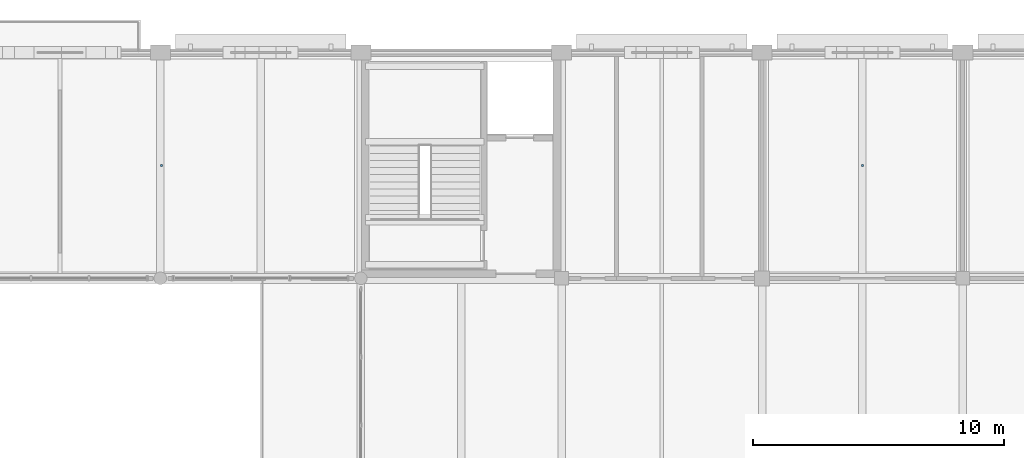
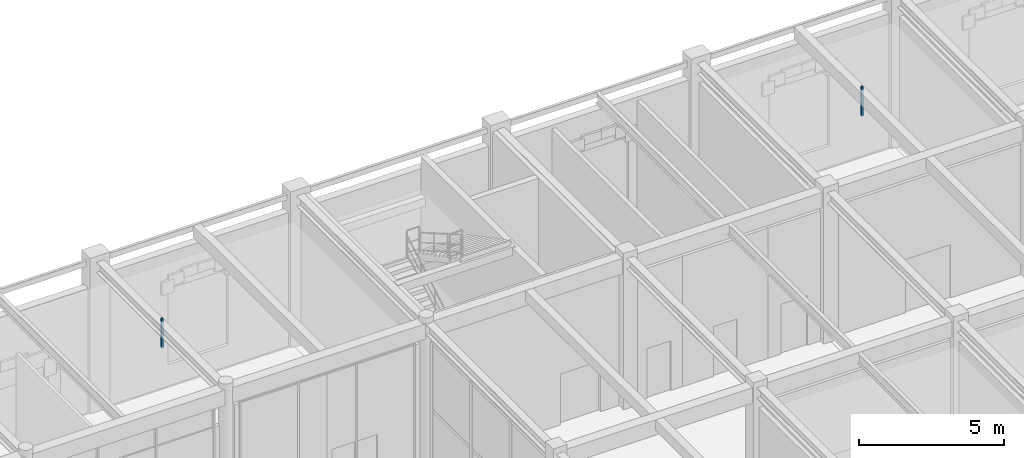
# One storey, part 148 of 163: 2 discrete accessories.
"""IFC4 building model written with IfcOpenShell, lengths in metres."""

from ifc_helpers import new_model, si_unit, direction, frame, origin, origin_2d, place, context, subcontext, project, spatial, rectangle, extrude, material, layer, layer_set, type_object, element, save


model = new_model("IFC4")

# Units and contexts
model_context = context("Model", 3, precision=1e-05, world=origin(), true_north=direction((0.0, 1.0)))
body_context = subcontext(model_context, "Body", "Model", "MODEL_VIEW")
ifc_project = project(units=[si_unit("LENGTHUNIT", "METRE"), si_unit("AREAUNIT", "SQUARE_METRE"), si_unit("VOLUMEUNIT", "CUBIC_METRE"), si_unit("PLANEANGLEUNIT", "RADIAN"), si_unit("MASSUNIT", "GRAM", prefix="KILO")], contexts=[model_context])

# Site, building, storey
site_placement = place(None, origin())
site = spatial("IfcSite", under=ifc_project, at=site_placement, CompositionType="ELEMENT")
building_placement = place(site_placement, origin())
building = spatial("IfcBuilding", under=site, at=building_placement, Name="Varnabhumi Central Station", CompositionType="ELEMENT")
storey_placement = place(building_placement, frame((0.0, 0.0, 9.60009765625)))
storey = spatial("IfcBuildingStorey", under=building, at=storey_placement, Name="L02", CompositionType="ELEMENT", Elevation=9.60009765625)

# Discrete accessories
ifc_material = material(Name="Structural steel E350", Category="steel")
ifc_layer = layer(ifc_material, 0.159912109375, Name="Structural steel E350", Category="steel")
ifc_layer_set = layer_set([ifc_layer], Name="Structural steel E350")
discrete_accessory_type = type_object("IfcDiscreteAccessoryType", Name="ACC-SHADE-BRKT", PredefinedType="BRACKET", material=ifc_layer_set)
for number, where, z_axis, x_axis, name in (
    (1, (72.050048828125, 111.5, 5.239990234375), (0.0, 0.0, 1.0), (1.0, 0.0, 0.0), "Ladies' Waiting Lounge Ceiling Hanger"),
    (2, (100.0, 111.5, 5.239990234375), (0.0, 0.0, 1.0), (1.0, 0.0, 0.0), "Senior Citizen and Divyangjan Waiting Lounge Ceiling Hanger"),
):
    element("IfcDiscreteAccessory", number, at=place(storey_placement, frame(where, z_axis=z_axis, x_axis=x_axis)), inside=storey, type_object=discrete_accessory_type, Name=name, PredefinedType="BRACKET", context=body_context, shape_type="SweptSolid", body=[
        extrude(rectangle(XDim=0.080078125, YDim=0.080078125, at=origin_2d()), origin(), (0.0, 0.0, 1.0), 1.22998046875),
    ])

save(model, "model.ifc")
